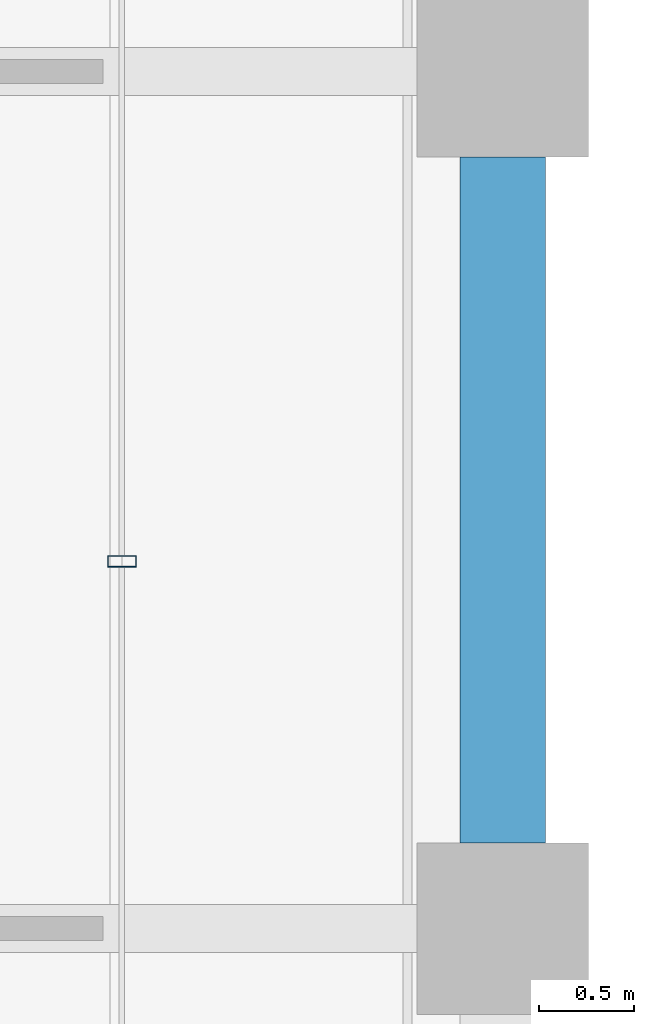
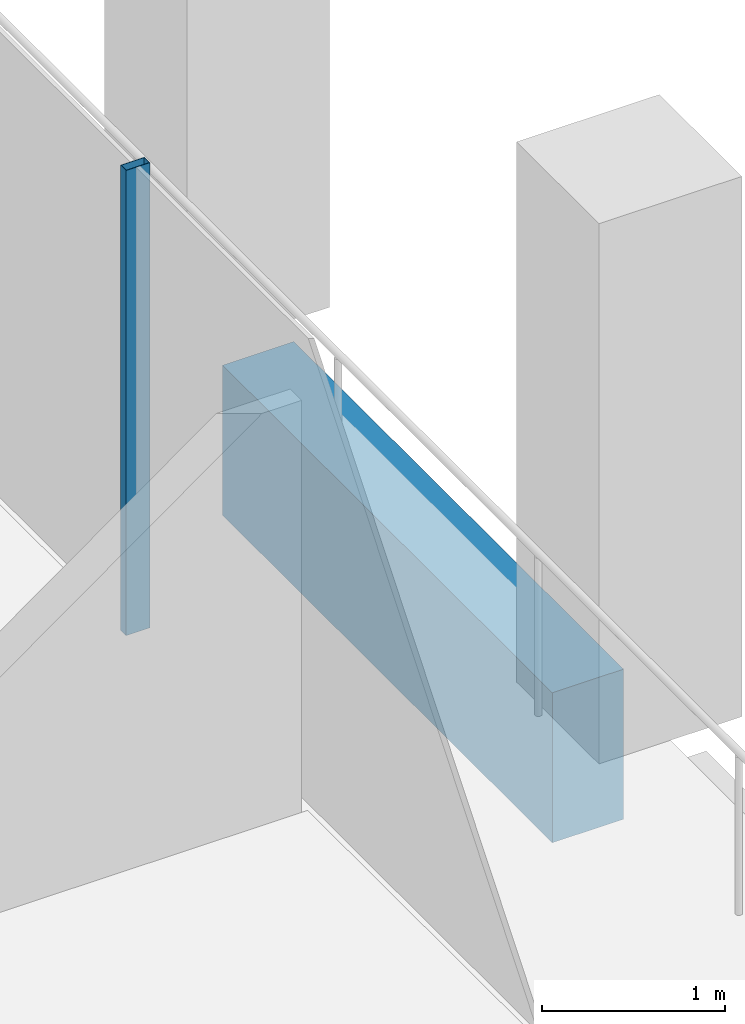
# One storey, part 17 of 40: 1 beam, 1 member, 1 element without a shape of its own.
"""IFC4 building model written with IfcOpenShell, lengths in metres."""

from ifc_helpers import new_model, si_unit, direction, frame, origin, origin_2d, place, context, subcontext, project, spatial, rectangle, hollow_rectangle, extrude, material, material_profile, profile_set, type_object, element, aggregate, save


model = new_model("IFC4")

# Units and contexts
model_context = context("Model", 3, precision=1e-05, world=origin(), true_north=direction((0.0, 1.0)))
body_context = subcontext(model_context, "Body", "Model", "MODEL_VIEW")
ifc_project = project(units=[si_unit("LENGTHUNIT", "METRE"), si_unit("AREAUNIT", "SQUARE_METRE"), si_unit("VOLUMEUNIT", "CUBIC_METRE"), si_unit("PLANEANGLEUNIT", "RADIAN"), si_unit("MASSUNIT", "GRAM", prefix="KILO")], contexts=[model_context])

# Site, building, storey
site_placement = place(None, origin())
site = spatial("IfcSite", under=ifc_project, at=site_placement, CompositionType="ELEMENT")
building_placement = place(site_placement, origin())
building = spatial("IfcBuilding", under=site, at=building_placement, Name="Altepetl Exchange Towers", CompositionType="ELEMENT")
storey_placement = place(building_placement, frame((0.0, 0.0, 179.800048828125)))
storey = spatial("IfcBuildingStorey", under=building, at=storey_placement, Name="L45", CompositionType="ELEMENT", Elevation=179.800048828125)

# Curtain wall, member
ifc_material_1 = material(Name="Aluminium 6063-T6 glazing", Category="aluminium")
curtain_wall_type = type_object("IfcCurtainWallType", Name="Loggia glazing system", PredefinedType="NOTDEFINED", material=ifc_material_1)
curtain_wall_placement = place(storey_placement, origin())
curtain_wall = element("IfcCurtainWall", 1, at=curtain_wall_placement, inside=storey, type_object=curtain_wall_type, Name="CW1 run", PredefinedType="NOTDEFINED")
ifc_material_2 = material(Name="Aluminium 6063-T6", Category="aluminium")
ifc_material_profile_1 = material_profile(ifc_material_2, hollow_rectangle(XDim=0.06005859375, YDim=0.14990234375, WallThickness=0.0029296875, at=origin_2d()), Name="Mullion 60x150 aluminium")
ifc_profile_set_1 = profile_set([ifc_material_profile_1], Name="Aluminium 6063-T6")
member_type = type_object("IfcMemberType", Name="Mullion 60x150 aluminium", PredefinedType="MULLION", material=ifc_profile_set_1)
member_placement = place(storey_placement, frame((70.0, 46.927978515625, 0.0), z_axis=(0.0, 0.0, 1.0), x_axis=(0.0, 1.0, 0.0)))
member = element("IfcMember", 2, at=member_placement, type_object=member_type, Name="MU1 mullion", PredefinedType="MULLION", context=body_context, shape_type="SweptSolid", body=[
    extrude(hollow_rectangle(XDim=0.06005859375, YDim=0.14990234375, WallThickness=0.0029296875, at=origin_2d()), origin(), (0.0, 0.0, 1.0), 3.099853515625),
])
aggregate(curtain_wall, [member])

# Beam
ifc_material_3 = material(Name="Concrete C50/60 precast with cantera amarilla facing", Category="concrete")
ifc_material_profile_2 = material_profile(ifc_material_3, rectangle(XDim=0.449951171875, YDim=1.0, at=origin_2d()), Name="450 x 1000")
ifc_profile_set_2 = profile_set([ifc_material_profile_2], Name="Concrete C50/60 precast with cantera amarilla facing")
beam_type = type_object("IfcBeamType", Name="Spandrel beam 450x1000 cantera amarilla", PredefinedType="SPANDREL", material=ifc_profile_set_2)
beam_placement = place(storey_placement, frame((72.0, 45.449951171875, -0.650146484375), z_axis=(0.0, 1.0, 0.0), x_axis=(-1.0, 0.0, 0.0)))
element("IfcBeam", 3, at=beam_placement, inside=storey, type_object=beam_type, Name="sp:A:L45:015", PredefinedType="SPANDREL", context=body_context, shape_type="SweptSolid", body=[
    extrude(rectangle(XDim=0.449951171875, YDim=1.0, at=origin_2d()), origin(), (0.0, 0.0, 1.0), 3.60009765625),
])

save(model, "model.ifc")
